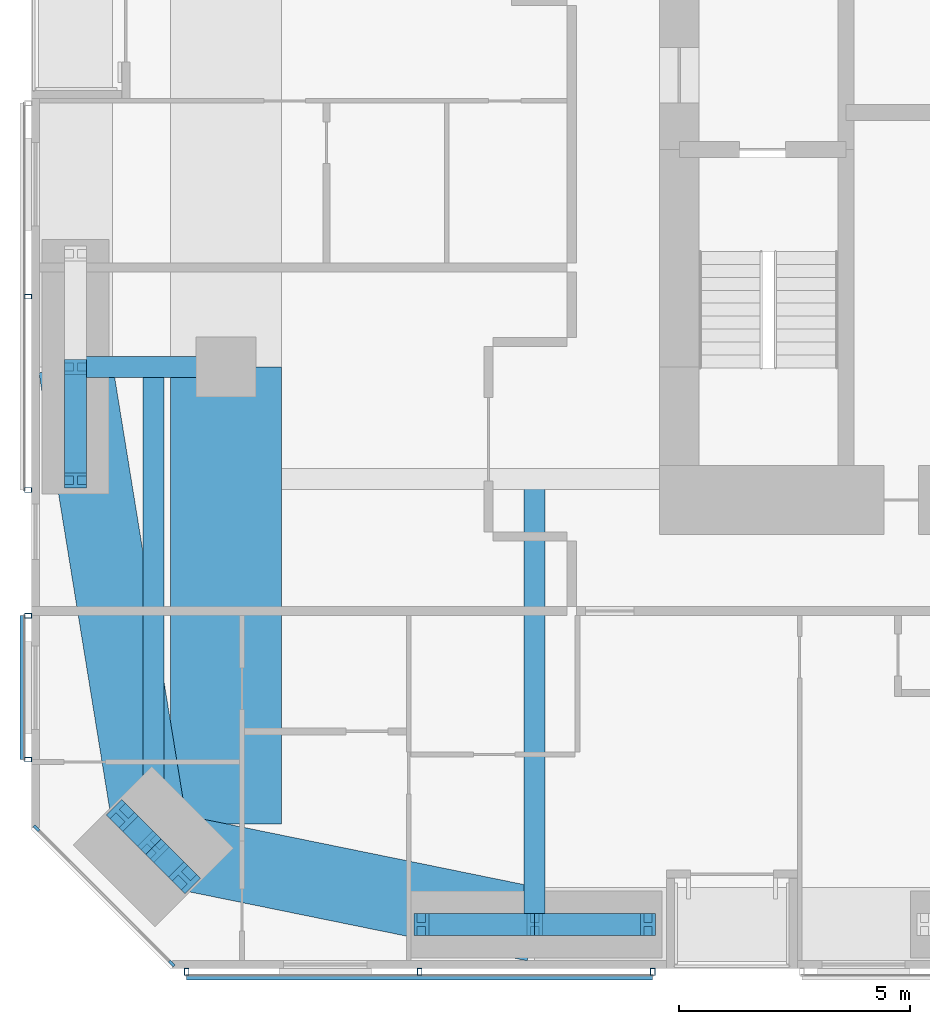
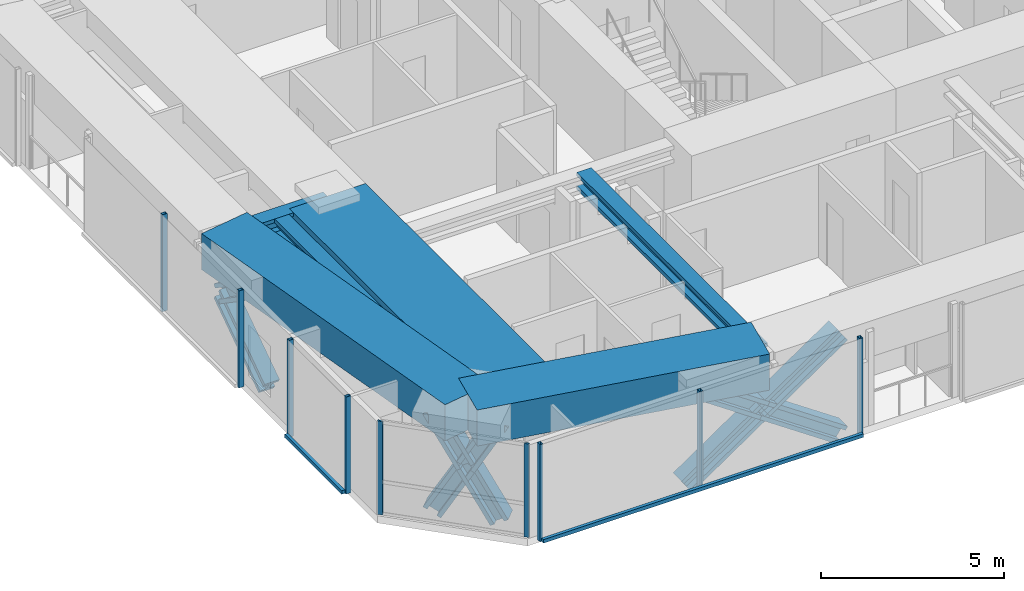
# One storey, part 2 of 24: 21 members, 6 beams, 4 elements without a shape of their own.
"""IFC4 building model written with IfcOpenShell, lengths in metres."""

from ifc_helpers import new_model, si_unit, direction, frame, origin, origin_2d, place, context, subcontext, project, spatial, rectangle, hollow_rectangle, i_section, extrude, material, material_profile, profile_set, type_object, element, aggregate, save


model = new_model("IFC4")

# Units and contexts
model_context = context("Model", 3, precision=1e-05, world=origin(), true_north=direction((0.0, 1.0)))
body_context = subcontext(model_context, "Body", "Model", "MODEL_VIEW")
ifc_project = project(units=[si_unit("LENGTHUNIT", "METRE"), si_unit("AREAUNIT", "SQUARE_METRE"), si_unit("VOLUMEUNIT", "CUBIC_METRE"), si_unit("PLANEANGLEUNIT", "RADIAN"), si_unit("MASSUNIT", "GRAM", prefix="KILO")], contexts=[model_context])

# Site, building, storey
site_placement = place(None, origin())
site = spatial("IfcSite", under=ifc_project, at=site_placement, CompositionType="ELEMENT")
building_placement = place(site_placement, origin())
building = spatial("IfcBuilding", under=site, at=building_placement, Name="Jalousie Tower", CompositionType="ELEMENT")
storey_placement = place(building_placement, frame((0.0, 0.0, 128.300048828125)))
storey = spatial("IfcBuildingStorey", under=building, at=storey_placement, Name="L35", CompositionType="ELEMENT", Elevation=128.300048828125)

# Curtain wall, members
ifc_material_1 = material(Name="Aluminium curtain wall", Category="aluminium")
curtain_wall_type_1 = type_object("IfcCurtainWallType", Name="CORNER WINDOW WALL", PredefinedType="USERDEFINED", material=ifc_material_1)
curtain_wall_1_placement = place(storey_placement, origin())
curtain_wall_1 = element("IfcCurtainWall", 1, at=curtain_wall_1_placement, inside=storey, type_object=curtain_wall_type_1, Name="Corner Window Wall L35 8", ObjectType="CORNER WINDOW WALL", PredefinedType="USERDEFINED")
ifc_material_2 = material(Name="Aluminium mullion", Category="aluminium")
ifc_material_profile_1 = material_profile(ifc_material_2, rectangle(XDim=0.06005859375, YDim=0.14990234375, at=origin_2d()), Name="MULLION 60x150")
ifc_profile_set_1 = profile_set([ifc_material_profile_1], Name="Aluminium mullion")
member_type_1 = type_object("IfcMemberType", Name="CORNER WINDOW WALL MULLION", PredefinedType="MULLION", material=ifc_profile_set_1)
member_1_placement = place(storey_placement, frame((6.108642578125, 3.030029296875, 0.0), z_axis=(0.0, 0.0, 1.0), x_axis=(0.707106781187, 0.707106781187, 0.0)))
member_1 = element("IfcMember", 2, at=member_1_placement, type_object=member_type_1, Name="CW-C mullion 1", PredefinedType="MULLION", context=body_context, shape_type="SweptSolid", body=[
    extrude(rectangle(XDim=0.06005859375, YDim=0.14990234375, at=origin_2d()), origin(), (0.0, 0.0, 1.0), 3.10986328125),
])
member_2_placement = place(storey_placement, frame((9.030029296875, 0.108642578125, 0.0), z_axis=(0.0, 0.0, 1.0), x_axis=(0.707106781187, 0.707106781187, 0.0)))
member_2 = element("IfcMember", 3, at=member_2_placement, type_object=member_type_1, Name="CW-C mullion 2", PredefinedType="MULLION", context=body_context, shape_type="SweptSolid", body=[
    extrude(rectangle(XDim=0.06005859375, YDim=0.14990234375, at=origin_2d()), origin(), (0.0, 0.0, 1.0), 3.10986328125),
])
aggregate(curtain_wall_1, [member_1, member_2])

# Beams
ifc_material_3 = material(Name="Steel ASTM A992 Grade 50", Category="steel")
ifc_material_profile_2 = material_profile(ifc_material_3, i_section(OverallWidth=0.45458984375, OverallDepth=0.569091796875, WebThickness=0.077880859375, FlangeThickness=0.124755859375, at=origin_2d()), Name="W14X730")
ifc_profile_set_2 = profile_set([ifc_material_profile_2], Name="Steel ASTM A992 Grade 50")
beam_type_1 = type_object("IfcBeamType", Name="LEAN COLLECTOR W14X730", PredefinedType="BEAM", material=ifc_profile_set_2)
beam_1_placement = place(storey_placement, frame((6.949951171875, 13.0, 2.825439453125), z_axis=(1.0, 0.0, 0.0), x_axis=(0.0, 1.0, 0.0)))
element("IfcBeam", 4, at=beam_1_placement, inside=storey, type_object=beam_type_1, Name="Lean collector under L36", PredefinedType="BEAM", context=body_context, shape_type="SweptSolid", body=[
    extrude(i_section(OverallWidth=0.45458984375, OverallDepth=0.569091796875, WebThickness=0.077880859375, FlangeThickness=0.124755859375, at=origin_2d()), origin(), (0.0, 0.0, 1.0), 3.25),
])
beam_2_placement = place(storey_placement, frame((8.63134765625, 2.63134765625, 2.825439453125), z_axis=(0.0, 1.0, 0.0), x_axis=(-1.0, 0.0, 0.0)))
element("IfcBeam", 5, at=beam_2_placement, inside=storey, type_object=beam_type_1, Name="Lean collector under L36", PredefinedType="BEAM", context=body_context, shape_type="SweptSolid", body=[
    extrude(i_section(OverallWidth=0.45458984375, OverallDepth=0.569091796875, WebThickness=0.077880859375, FlangeThickness=0.124755859375, at=origin_2d()), origin(), (0.0, 0.0, 1.0), 10.36865234375),
])
beam_3_placement = place(storey_placement, frame((16.875, 0.949951171875, 2.825439453125), z_axis=(0.0, 1.0, 0.0), x_axis=(-1.0, 0.0, 0.0)))
element("IfcBeam", 6, at=beam_3_placement, inside=storey, type_object=beam_type_1, Name="Lean collector under L36", PredefinedType="BEAM", context=body_context, shape_type="SweptSolid", body=[
    extrude(i_section(OverallWidth=0.45458984375, OverallDepth=0.569091796875, WebThickness=0.077880859375, FlangeThickness=0.124755859375, at=origin_2d()), origin(), (0.0, 0.0, 1.0), 9.625),
])

# Members
ifc_material_4 = material(Name="Steel ASTM A992 Grade 50", Category="steel")
ifc_material_profile_3 = material_profile(ifc_material_4, i_section(OverallWidth=0.472412109375, OverallDepth=0.5791015625, WebThickness=0.094970703125, FlangeThickness=0.1298828125, at=origin_2d()), Name="W14X808")
ifc_profile_set_3 = profile_set([ifc_material_profile_3], Name="Steel ASTM A992 Grade 50")
member_type_2 = type_object("IfcMemberType", Name="PERIMETER BRACE W14X808", PredefinedType="BRACE", material=ifc_profile_set_3)
for number, where, z_axis, x_axis, name in (
    (7, (7.959716796875, 3.302978515625, -0.60009765625), (0.348789058631, -0.348789058631, 0.869880672943), (0.707106781187, 0.707106781187, 0.0), "Perimeter brace 01 L35 part 1"),
    (8, (8.63134765625, 2.63134765625, 1.074951171875), (0.348789058631, -0.348789058631, 0.869880672943), (0.707106781187, 0.707106781187, 0.0), "Perimeter brace 01 L35 part 2"),
    (9, (9.302978515625, 1.959716796875, -0.60009765625), (-0.348789058631, 0.348789058631, 0.869880672943), (-0.707106781187, -0.707106781187, 0.0), "Perimeter brace 01 L35 part 3"),
    (10, (8.63134765625, 2.63134765625, 1.074951171875), (-0.348789058631, 0.348789058631, 0.869880672943), (-0.707106781187, -0.707106781187, 0.0), "Perimeter brace 01 L35 part 4"),
):
    element("IfcMember", number, at=place(storey_placement, frame(where, z_axis=z_axis, x_axis=x_axis)), inside=storey, type_object=member_type_2, Name=name, PredefinedType="BRACE", context=body_context, shape_type="SweptSolid", body=[
        extrude(i_section(OverallWidth=0.472412109375, OverallDepth=0.5791015625, WebThickness=0.094970703125, FlangeThickness=0.1298828125, at=origin_2d()), origin(), (0.0, 0.0, 1.0), 1.925537109375),
    ])
for number, where, z_axis, x_axis, name in (
    (11, (14.425048828125, 0.949951171875, -0.60009765625), (0.825500916831, 0.0, 0.564400776321), (0.0, 1.0, 0.0), "Perimeter brace 02 L35 part 1"),
    (12, (16.875, 0.949951171875, 1.074951171875), (0.825500916831, 0.0, 0.564400776321), (0.0, 1.0, 0.0), "Perimeter brace 02 L35 part 2"),
    (13, (19.324951171875, 0.949951171875, -0.60009765625), (-0.825500916831, 0.0, 0.564400776321), (0.0, -1.0, 0.0), "Perimeter brace 02 L35 part 3"),
    (14, (16.875, 0.949951171875, 1.074951171875), (-0.825500916831, 0.0, 0.564400776321), (0.0, -1.0, 0.0), "Perimeter brace 02 L35 part 4"),
    (15, (6.949951171875, 10.550048828125, -0.60009765625), (0.0, 0.825500916831, 0.564400776321), (-1.0, 0.0, 0.0), "Perimeter brace 14 L35 part 1"),
    (16, (6.949951171875, 13.0, 1.074951171875), (0.0, -0.825500916831, 0.564400776321), (1.0, 0.0, 0.0), "Perimeter brace 14 L35 part 4"),
):
    element("IfcMember", number, at=place(storey_placement, frame(where, z_axis=z_axis, x_axis=x_axis)), inside=storey, type_object=member_type_2, Name=name, PredefinedType="BRACE", context=body_context, shape_type="SweptSolid", body=[
        extrude(i_section(OverallWidth=0.472412109375, OverallDepth=0.5791015625, WebThickness=0.094970703125, FlangeThickness=0.1298828125, at=origin_2d()), origin(), (0.0, 0.0, 1.0), 2.9677734375),
    ])

# Beams
ifc_material_5 = material(Name="Concrete f'c 40 MPa", Category="concrete")
ifc_material_profile_4 = material_profile(ifc_material_5, rectangle(XDim=1.60009765625, YDim=1.199951171875, at=origin_2d()), Name="RC 1600x1200")
ifc_profile_set_4 = profile_set([ifc_material_profile_4], Name="Concrete f'c 40 MPa")
beam_type_2 = type_object("IfcBeamType", Name="RC BEAM 1600x1200", PredefinedType="BEAM", material=ifc_profile_set_4)
beam_4_placement = place(storey_placement, frame((8.63134765625, 2.63134765625, 2.75), z_axis=(0.97982690954, -0.199848010602, 0.0), x_axis=(0.199848010602, 0.97982690954, 0.0)))
element("IfcBeam", 17, at=beam_4_placement, inside=storey, type_object=beam_type_2, Name="Edge band beam 01-02 under L36", PredefinedType="BEAM", context=body_context, shape_type="SweptSolid", body=[
    extrude(rectangle(XDim=1.60009765625, YDim=1.199951171875, at=origin_2d()), origin(), (0.0, 0.0, 1.0), 8.413330078125),
])
beam_5_placement = place(storey_placement, frame((6.949951171875, 13.0, 2.75), z_axis=(0.160070546476, -0.987105577003, 0.0), x_axis=(0.987105577003, 0.160070546476, 0.0)))
element("IfcBeam", 18, at=beam_5_placement, inside=storey, type_object=beam_type_2, Name="Edge band beam 14-01 under L36", PredefinedType="BEAM", context=body_context, shape_type="SweptSolid", body=[
    extrude(rectangle(XDim=1.60009765625, YDim=1.199951171875, at=origin_2d()), origin(), (0.0, 0.0, 1.0), 10.504150390625),
])
ifc_material_6 = material(Name="Concrete f'c 40 MPa", Category="concrete")
ifc_material_profile_5 = material_profile(ifc_material_6, rectangle(XDim=2.39990234375, YDim=0.60009765625, at=origin_2d()), Name="RC 2400x600")
ifc_profile_set_5 = profile_set([ifc_material_profile_5], Name="Concrete f'c 40 MPa")
beam_type_3 = type_object("IfcBeamType", Name="RC BEAM 2400x600", PredefinedType="BEAM", material=ifc_profile_set_5)
beam_6_placement = place(storey_placement, frame((10.199951171875, 13.0, 2.81005859375), z_axis=(0.0, -1.0, 0.0), x_axis=(1.0, 0.0, 0.0)))
element("IfcBeam", 19, at=beam_6_placement, inside=storey, type_object=beam_type_3, Name="Floor band beam under L36", PredefinedType="BEAM", context=body_context, shape_type="SweptSolid", body=[
    extrude(rectangle(XDim=2.39990234375, YDim=0.60009765625, at=origin_2d()), origin(), (0.0, 0.0, 1.0), 9.8720703125),
])

# Curtain wall, members
ifc_material_7 = material(Name="Perforated aluminium sheet", Category="aluminium")
curtain_wall_type_2 = type_object("IfcCurtainWallType", Name="SOLAR SCREEN SS-1", PredefinedType="USERDEFINED", material=ifc_material_7)
curtain_wall_2_placement = place(storey_placement, origin())
curtain_wall_2 = element("IfcCurtainWall", 20, at=curtain_wall_2_placement, inside=storey, type_object=curtain_wall_type_2, Name="Solar screen L35", ObjectType="SOLAR SCREEN SS-1", PredefinedType="USERDEFINED")
ifc_material_8 = material(Name="Steel ASTM A500 Grade C", Category="steel")
ifc_material_profile_6 = material_profile(ifc_material_8, hollow_rectangle(XDim=0.1015625, YDim=0.15234375, WallThickness=0.00634765625, at=origin_2d()), Name="HSS6X4X1/4")
ifc_profile_set_6 = profile_set([ifc_material_profile_6], Name="Steel ASTM A500 Grade C")
member_type_3 = type_object("IfcMemberType", Name="SOLAR SCREEN SS-1 MULLION", PredefinedType="MULLION", material=ifc_profile_set_6)
member_3_placement = place(storey_placement, frame((9.351318359375, -0.0712890625, -0.1201171875), z_axis=(0.0, 0.0, 1.0), x_axis=(1.0, 0.0, 0.0)))
member_3 = element("IfcMember", 21, at=member_3_placement, type_object=member_type_3, Name="SS1 post 1", PredefinedType="MULLION", context=body_context, shape_type="SweptSolid", body=[
    extrude(hollow_rectangle(XDim=0.1015625, YDim=0.15234375, WallThickness=0.00634765625, at=origin_2d()), origin(), (0.0, 0.0, 1.0), 3.22998046875),
])
member_4_placement = place(storey_placement, frame((14.38818359375, -0.0712890625, -0.1201171875), z_axis=(0.0, 0.0, 1.0), x_axis=(1.0, 0.0, 0.0)))
member_4 = element("IfcMember", 22, at=member_4_placement, type_object=member_type_3, Name="SS1 post 2", PredefinedType="MULLION", context=body_context, shape_type="SweptSolid", body=[
    extrude(hollow_rectangle(XDim=0.1015625, YDim=0.15234375, WallThickness=0.00634765625, at=origin_2d()), origin(), (0.0, 0.0, 1.0), 3.22998046875),
])
member_5_placement = place(storey_placement, frame((19.425048828125, -0.0712890625, -0.1201171875), z_axis=(0.0, 0.0, 1.0), x_axis=(1.0, 0.0, 0.0)))
member_5 = element("IfcMember", 23, at=member_5_placement, type_object=member_type_3, Name="SS1 post 3", PredefinedType="MULLION", context=body_context, shape_type="SweptSolid", body=[
    extrude(hollow_rectangle(XDim=0.1015625, YDim=0.15234375, WallThickness=0.00634765625, at=origin_2d()), origin(), (0.0, 0.0, 1.0), 3.22998046875),
])

curtain_wall_3_placement = place(storey_placement, origin())
curtain_wall_3 = element("IfcCurtainWall", 24, at=curtain_wall_3_placement, inside=storey, type_object=curtain_wall_type_2, Name="Solar screen L35", ObjectType="SOLAR SCREEN SS-1", PredefinedType="USERDEFINED")
member_6_placement = place(storey_placement, frame((5.9287109375, 14.520263671875, -0.1201171875), z_axis=(0.0, 0.0, 1.0), x_axis=(0.0, -1.0, 0.0)))
member_6 = element("IfcMember", 25, at=member_6_placement, type_object=member_type_3, Name="SS1 post 2", PredefinedType="MULLION", context=body_context, shape_type="SweptSolid", body=[
    extrude(hollow_rectangle(XDim=0.1015625, YDim=0.15234375, WallThickness=0.00634765625, at=origin_2d()), origin(), (0.0, 0.0, 1.0), 3.22998046875),
])
member_7_placement = place(storey_placement, frame((5.9287109375, 10.340576171875, -0.1201171875), z_axis=(0.0, 0.0, 1.0), x_axis=(0.0, -1.0, 0.0)))
member_7 = element("IfcMember", 26, at=member_7_placement, type_object=member_type_3, Name="SS1 post 3", PredefinedType="MULLION", context=body_context, shape_type="SweptSolid", body=[
    extrude(hollow_rectangle(XDim=0.1015625, YDim=0.15234375, WallThickness=0.00634765625, at=origin_2d()), origin(), (0.0, 0.0, 1.0), 3.22998046875),
])
aggregate(curtain_wall_3, [member_6, member_7])

curtain_wall_4_placement = place(storey_placement, origin())
curtain_wall_4 = element("IfcCurtainWall", 27, at=curtain_wall_4_placement, inside=storey, type_object=curtain_wall_type_2, Name="Solar screen L35", ObjectType="SOLAR SCREEN SS-1", PredefinedType="USERDEFINED")
member_8_placement = place(storey_placement, frame((5.9287109375, 7.625, -0.1201171875), z_axis=(0.0, 0.0, 1.0), x_axis=(0.0, -1.0, 0.0)))
member_8 = element("IfcMember", 28, at=member_8_placement, type_object=member_type_3, Name="SS1 post 1", PredefinedType="MULLION", context=body_context, shape_type="SweptSolid", body=[
    extrude(hollow_rectangle(XDim=0.1015625, YDim=0.15234375, WallThickness=0.00634765625, at=origin_2d()), origin(), (0.0, 0.0, 1.0), 3.22998046875),
])
member_9_placement = place(storey_placement, frame((5.9287109375, 4.513916015625, -0.1201171875), z_axis=(0.0, 0.0, 1.0), x_axis=(0.0, -1.0, 0.0)))
member_9 = element("IfcMember", 29, at=member_9_placement, type_object=member_type_3, Name="SS1 post 2", PredefinedType="MULLION", context=body_context, shape_type="SweptSolid", body=[
    extrude(hollow_rectangle(XDim=0.1015625, YDim=0.15234375, WallThickness=0.00634765625, at=origin_2d()), origin(), (0.0, 0.0, 1.0), 3.22998046875),
])

# Member
ifc_material_9 = material(Name="Extruded aluminium screen rail", Category="aluminium")
ifc_material_profile_7 = material_profile(ifc_material_9, rectangle(XDim=0.1015625, YDim=0.1201171875, at=origin_2d()), Name="RAIL 102x120")
ifc_profile_set_7 = profile_set([ifc_material_profile_7], Name="Extruded aluminium screen rail")
member_type_4 = type_object("IfcMemberType", Name="SOLAR SCREEN SS-1 TRANSOM", PredefinedType="USERDEFINED", material=ifc_profile_set_7)
member_10_placement = place(storey_placement, frame((9.351318359375, -0.1982421875, -0.06005859375), z_axis=(1.0, 0.0, 0.0), x_axis=(0.0, 1.0, 0.0)))
member_10 = element("IfcMember", 30, at=member_10_placement, type_object=member_type_4, Name="SS1 rail", ObjectType="TRANSOM", PredefinedType="USERDEFINED", context=body_context, shape_type="SweptSolid", body=[
    extrude(rectangle(XDim=0.1015625, YDim=0.1201171875, at=origin_2d()), origin(), (0.0, 0.0, 1.0), 10.07373046875),
])

aggregate(curtain_wall_2, [member_3, member_4, member_5, member_10])

member_11_placement = place(storey_placement, frame((5.8017578125, 7.625, -0.06005859375), z_axis=(0.0, -1.0, 0.0), x_axis=(1.0, 0.0, 0.0)))
member_11 = element("IfcMember", 31, at=member_11_placement, type_object=member_type_4, Name="SS1 rail", ObjectType="TRANSOM", PredefinedType="USERDEFINED", context=body_context, shape_type="SweptSolid", body=[
    extrude(rectangle(XDim=0.1015625, YDim=0.1201171875, at=origin_2d()), origin(), (0.0, 0.0, 1.0), 3.111083984375),
])

aggregate(curtain_wall_4, [member_8, member_9, member_11])

save(model, "model.ifc")
